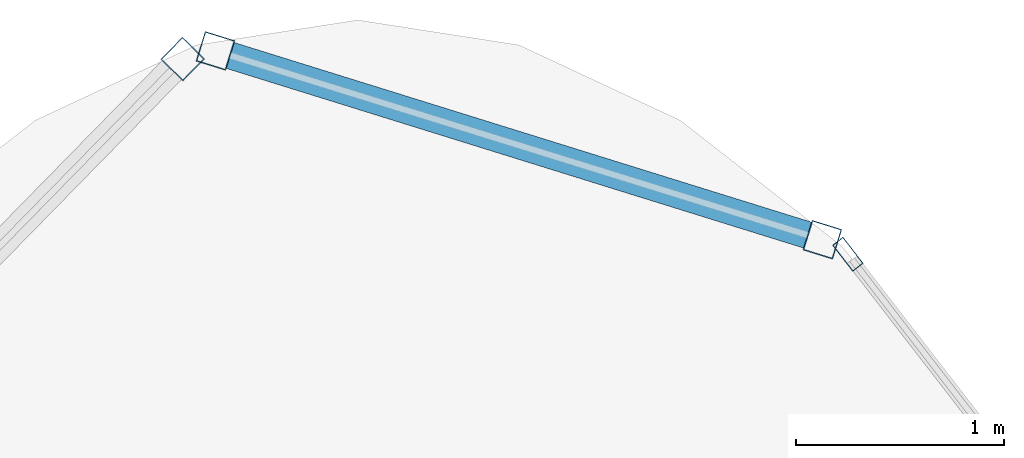
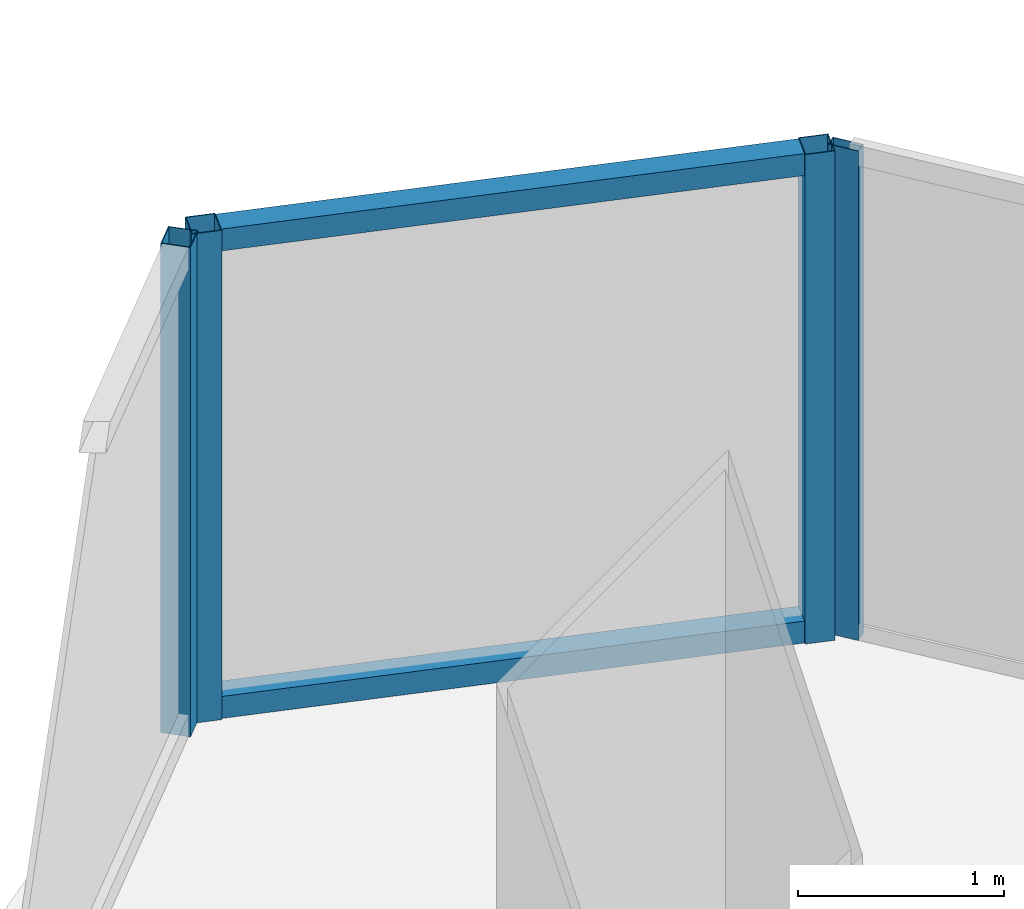
# One storey, part 23 of 29: 6 members, 3 elements without a shape of their own.
"""IFC4 building model written with IfcOpenShell, lengths in metres."""

from ifc_helpers import new_model, si_unit, direction, frame, origin, origin_2d, place, context, subcontext, project, spatial, hollow_rectangle, extrude, material, layer, layer_set, material_profile, profile_set, type_object, element, aggregate, save


model = new_model("IFC4")

# Units and contexts
model_context = context("Model", 3, precision=1e-05, world=origin(), true_north=direction((0.0, 1.0)))
body_context = subcontext(model_context, "Body", "Model", "MODEL_VIEW")
ifc_project = project(units=[si_unit("LENGTHUNIT", "METRE"), si_unit("AREAUNIT", "SQUARE_METRE"), si_unit("VOLUMEUNIT", "CUBIC_METRE"), si_unit("PLANEANGLEUNIT", "RADIAN"), si_unit("MASSUNIT", "GRAM", prefix="KILO")], contexts=[model_context])

# Site, building, storey
site_placement = place(None, origin())
site = spatial("IfcSite", under=ifc_project, at=site_placement, CompositionType="ELEMENT")
building_placement = place(site_placement, origin())
building = spatial("IfcBuilding", under=site, at=building_placement, Name="Orvanel Arch Residences", CompositionType="ELEMENT")
storey_placement = place(building_placement, frame((0.0, 0.0, 253.550048828125)))
storey = spatial("IfcBuildingStorey", under=building, at=storey_placement, Name="L72", CompositionType="ELEMENT", Elevation=253.550048828125)

# Curtain wall, members
ifc_material = material(Name="Bronze-anodised aluminium AA6063-T6", Category="aluminium")
ifc_layer_1 = layer(ifc_material, 0.18994140625)
ifc_layer_set_1 = layer_set([ifc_layer_1], Name="Bronze-anodised aluminium AA6063-T6")
curtain_wall_type_1 = type_object("IfcCurtainWallType", Name="CW5-CRN-SYS", PredefinedType="NOTDEFINED", material=ifc_layer_set_1)
curtain_wall_1_placement = place(storey_placement, origin())
curtain_wall_1 = element("IfcCurtainWall", 1, at=curtain_wall_1_placement, inside=storey, type_object=curtain_wall_type_1, Name="L72 CW5-CRN-SYS Unitised Curtain Wall", PredefinedType="NOTDEFINED")
ifc_material_profile_1 = material_profile(ifc_material, hollow_rectangle(XDim=0.14990234375, YDim=0.14990234375, WallThickness=0.0048828125, at=origin_2d()), Name="ALU150x150x5")
ifc_profile_set_1 = profile_set([ifc_material_profile_1], Name="Bronze-anodised aluminium AA6063-T6")
member_type_1 = type_object("IfcMemberType", Name="MUL-150x150", PredefinedType="MULLION", material=ifc_profile_set_1)
member_1_placement = place(storey_placement, frame((35.23046875, 43.92822265625, 0.0), z_axis=(0.0, 0.0, 1.0), x_axis=(-0.297047566696, -0.954862682861, 0.0)))
member_1 = element("IfcMember", 2, at=member_1_placement, type_object=member_type_1, Name="CW-S5 mullion 1", PredefinedType="MULLION", context=body_context, shape_type="SweptSolid", body=[
    extrude(hollow_rectangle(XDim=0.14990234375, YDim=0.14990234375, WallThickness=0.0048828125, at=origin_2d()), origin(), (0.0, 0.0, 1.0), 2.89990234375),
])
member_2_placement = place(storey_placement, frame((32.316650390625, 44.834716796875, 0.0), z_axis=(0.0, 0.0, 1.0), x_axis=(-0.297047566696, -0.954862682861, 0.0)))
member_2 = element("IfcMember", 3, at=member_2_placement, type_object=member_type_1, Name="CW-S5 mullion 2", PredefinedType="MULLION", context=body_context, shape_type="SweptSolid", body=[
    extrude(hollow_rectangle(XDim=0.14990234375, YDim=0.14990234375, WallThickness=0.0048828125, at=origin_2d()), origin(), (0.0, 0.0, 1.0), 2.89990234375),
])

# Curtain wall, member
curtain_wall_2_placement = place(storey_placement, origin())
curtain_wall_2 = element("IfcCurtainWall", 4, at=curtain_wall_2_placement, inside=storey, type_object=curtain_wall_type_1, Name="L72 CW5-CRN-SYS Unitised Curtain Wall", PredefinedType="NOTDEFINED")
member_3_placement = place(storey_placement, frame((32.159423828125, 44.79541015625, 0.0), z_axis=(0.0, 0.0, 1.0), x_axis=(0.714469105473, -0.699666990307, 0.0)))
member_3 = element("IfcMember", 5, at=member_3_placement, type_object=member_type_1, Name="CW-S5 mullion 1", PredefinedType="MULLION", context=body_context, shape_type="SweptSolid", body=[
    extrude(hollow_rectangle(XDim=0.14990234375, YDim=0.14990234375, WallThickness=0.0048828125, at=origin_2d()), origin(), (0.0, 0.0, 1.0), 2.89990234375),
])
aggregate(curtain_wall_2, [member_3])

ifc_layer_2 = layer(ifc_material, 0.175048828125)
ifc_layer_set_2 = layer_set([ifc_layer_2], Name="Bronze-anodised aluminium AA6063-T6")
curtain_wall_type_2 = type_object("IfcCurtainWallType", Name="CW4-HI-SYS", PredefinedType="NOTDEFINED", material=ifc_layer_set_2)
curtain_wall_3_placement = place(storey_placement, origin())
curtain_wall_3 = element("IfcCurtainWall", 6, at=curtain_wall_3_placement, inside=storey, type_object=curtain_wall_type_2, Name="L72 CW4-HI-SYS Unitised Curtain Wall", PredefinedType="NOTDEFINED")
ifc_material_profile_2 = material_profile(ifc_material, hollow_rectangle(XDim=0.06494140625, YDim=0.159912109375, WallThickness=0.00390625, at=origin_2d()), Name="ALU160x65x4")
ifc_profile_set_2 = profile_set([ifc_material_profile_2], Name="Bronze-anodised aluminium AA6063-T6")
member_type_2 = type_object("IfcMemberType", Name="MUL-160x65", PredefinedType="MULLION", material=ifc_profile_set_2)
member_4_placement = place(storey_placement, frame((35.352783203125, 43.8583984375, 0.0), z_axis=(0.0, 0.0, 1.0), x_axis=(-0.791336812136, -0.611380446006, 0.0)))
member_4 = element("IfcMember", 7, at=member_4_placement, type_object=member_type_2, Name="CW-S4 mullion 3", PredefinedType="MULLION", context=body_context, shape_type="SweptSolid", body=[
    extrude(hollow_rectangle(XDim=0.06494140625, YDim=0.159912109375, WallThickness=0.00390625, at=origin_2d()), origin(), (0.0, 0.0, 1.0), 2.89990234375),
])
aggregate(curtain_wall_3, [member_4])

# Member
ifc_material_profile_3 = material_profile(ifc_material, hollow_rectangle(XDim=0.1298828125, YDim=0.1298828125, WallThickness=0.00439453125, at=origin_2d()), Name="ALU130x130x4.5")
ifc_profile_set_3 = profile_set([ifc_material_profile_3], Name="Bronze-anodised aluminium AA6063-T6")
member_type_3 = type_object("IfcMemberType", Name="TRN-130x130", PredefinedType="USERDEFINED", material=ifc_profile_set_3)
member_5_placement = place(storey_placement, frame((35.15869140625, 43.950439453125, 0.06494140625), z_axis=(-0.954844576626, 0.297105763136, 0.0), x_axis=(-0.297105763136, -0.954844576626, 0.0)))
member_5 = element("IfcMember", 8, at=member_5_placement, type_object=member_type_3, Name="CW-S5 transom 1.1", ObjectType="TRANSOM", PredefinedType="USERDEFINED", context=body_context, shape_type="SweptSolid", body=[
    extrude(hollow_rectangle(XDim=0.1298828125, YDim=0.1298828125, WallThickness=0.00439453125, at=origin_2d()), origin(), (0.0, 0.0, 1.0), 2.901611328125),
])

member_6_placement = place(storey_placement, frame((35.15869140625, 43.950439453125, 2.8349609375), z_axis=(-0.954844576626, 0.297105763136, 0.0), x_axis=(-0.297105763136, -0.954844576626, 0.0)))
member_6 = element("IfcMember", 9, at=member_6_placement, type_object=member_type_3, Name="CW-S5 transom 1.2", ObjectType="TRANSOM", PredefinedType="USERDEFINED", context=body_context, shape_type="SweptSolid", body=[
    extrude(hollow_rectangle(XDim=0.1298828125, YDim=0.1298828125, WallThickness=0.00439453125, at=origin_2d()), origin(), (0.0, 0.0, 1.0), 2.901611328125),
])

aggregate(curtain_wall_1, [member_1, member_2, member_5, member_6])

save(model, "model.ifc")
